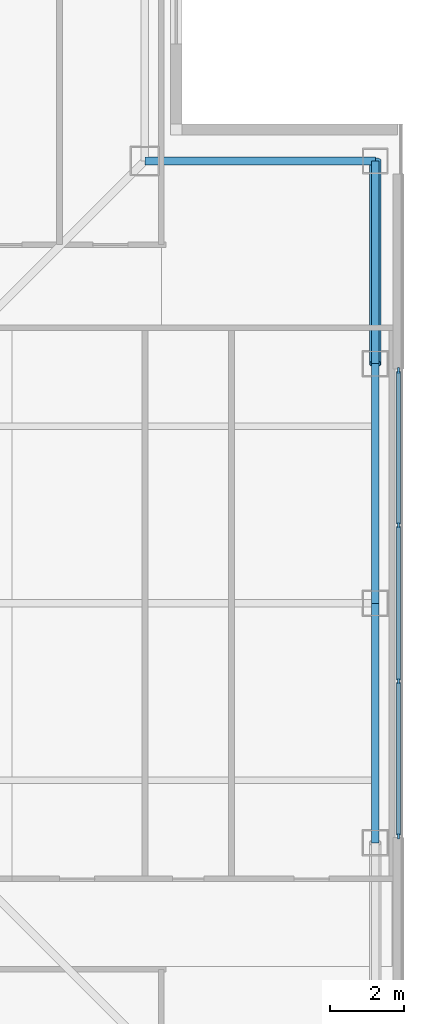
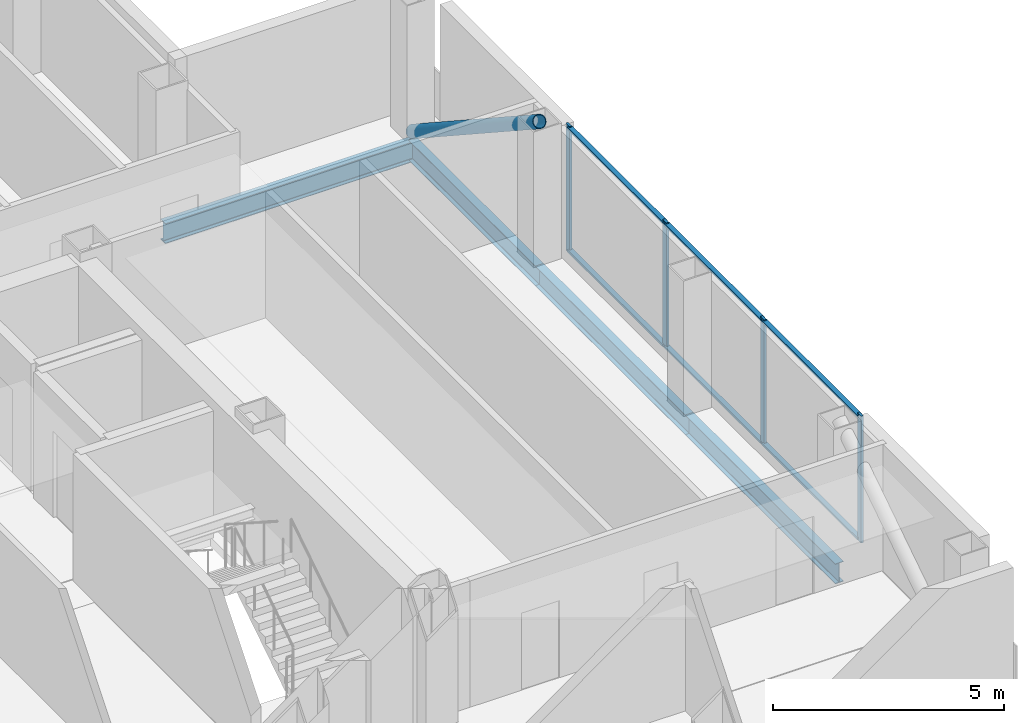
# One storey, part 6 of 16: 11 members, 4 beams, 1 element without a shape of its own.
"""IFC4 building model written with IfcOpenShell, lengths in metres."""

from ifc_helpers import new_model, si_unit, direction, frame, origin, origin_2d, place, context, subcontext, project, spatial, rectangle, hollow_circle, i_section, extrude, material, layer, layer_set, material_profile, profile_set, type_object, element, aggregate, save


model = new_model("IFC4")

# Units and contexts
model_context = context("Model", 3, precision=1e-05, world=origin(), true_north=direction((0.0, 1.0)))
body_context = subcontext(model_context, "Body", "Model", "MODEL_VIEW")
ifc_project = project(units=[si_unit("LENGTHUNIT", "METRE"), si_unit("AREAUNIT", "SQUARE_METRE"), si_unit("VOLUMEUNIT", "CUBIC_METRE"), si_unit("PLANEANGLEUNIT", "RADIAN"), si_unit("MASSUNIT", "GRAM", prefix="KILO")], contexts=[model_context])

# Site, building, storey
site_placement = place(None, origin())
site = spatial("IfcSite", under=ifc_project, at=site_placement, CompositionType="ELEMENT")
building_placement = place(site_placement, origin())
building = spatial("IfcBuilding", under=site, at=building_placement, Name="Trevonay Congress Spire", CompositionType="ELEMENT")
storey_placement = place(building_placement, frame((0.0, 0.0, 246.800048828125)))
storey = spatial("IfcBuildingStorey", under=building, at=storey_placement, Name="L64", CompositionType="ELEMENT", Elevation=246.800048828125)

# Beams
ifc_material_1 = material(Name="Steel ASTM A572 Grade 50", Category="steel")
ifc_material_profile_1 = material_profile(ifc_material_1, i_section(OverallWidth=0.208984375, OverallDepth=0.532958984375, WebThickness=0.01025390625, FlangeThickness=0.015625, FilletRadius=0.014892578125, at=origin_2d()), Name="W530x92")
ifc_profile_set_1 = profile_set([ifc_material_profile_1], Name="Steel ASTM A572 Grade 50")
beam_type = type_object("IfcBeamType", Name="BM-RING-W530X92", PredefinedType="BEAM", material=ifc_profile_set_1)
for number, where, z_axis, x_axis, name in (
    (1, (18.25, -6.5, -0.506591796875), (0.0, 1.0, 0.0), (-1.0, 0.0, 0.0), "L64 structural beam BM-L64-PE2"),
    (2, (18.25, 0.0, -0.506591796875), (0.0, 1.0, 0.0), (-1.0, 0.0, 0.0), "L64 structural beam BM-L64-PE3"),
):
    element("IfcBeam", number, at=place(storey_placement, frame(where, z_axis=z_axis, x_axis=x_axis)), inside=storey, type_object=beam_type, Name=name, PredefinedType="BEAM", context=body_context, shape_type="SweptSolid", body=[
        extrude(i_section(OverallWidth=0.208984375, OverallDepth=0.532958984375, WebThickness=0.01025390625, FlangeThickness=0.015625, FilletRadius=0.014892578125, at=origin_2d()), origin(), (0.0, 0.0, 1.0), 6.5),
    ])
beam_1_placement = place(storey_placement, frame((18.25, 6.5, -0.506591796875), z_axis=(0.0, 1.0, 0.0), x_axis=(-1.0, 0.0, 0.0)))
element("IfcBeam", 3, at=beam_1_placement, inside=storey, type_object=beam_type, Name="L64 structural beam BM-L64-PE4", PredefinedType="BEAM", context=body_context, shape_type="SweptSolid", body=[
    extrude(i_section(OverallWidth=0.208984375, OverallDepth=0.532958984375, WebThickness=0.01025390625, FlangeThickness=0.015625, FilletRadius=0.014892578125, at=origin_2d()), origin(), (0.0, 0.0, 1.0), 5.5),
])
beam_2_placement = place(storey_placement, frame((18.25, 12.0, -0.506591796875), z_axis=(-1.0, 0.0, 0.0), x_axis=(0.0, -1.0, 0.0)))
element("IfcBeam", 4, at=beam_2_placement, inside=storey, type_object=beam_type, Name="L64 structural beam BM-L64-N2NE", PredefinedType="BEAM", context=body_context, shape_type="SweptSolid", body=[
    extrude(i_section(OverallWidth=0.208984375, OverallDepth=0.532958984375, WebThickness=0.01025390625, FlangeThickness=0.015625, FilletRadius=0.014892578125, at=origin_2d()), origin(), (0.0, 0.0, 1.0), 6.25),
])

# Curtain wall, members
ifc_material_2 = material(Name="Pale Anodised Aluminium EN AW-6063-T6", Category="aluminium")
ifc_layer = layer(ifc_material_2, 0.1650390625, Name="Pale Anodised Aluminium EN AW-6063-T6")
ifc_layer_set = layer_set([ifc_layer], Name="Pale Anodised Aluminium EN AW-6063-T6")
curtain_wall_type = type_object("IfcCurtainWallType", Name="CW-SYS05-DIPLOM-PALE-METAL", PredefinedType="NOTDEFINED", material=ifc_layer_set)
curtain_wall_placement = place(storey_placement, origin())
curtain_wall = element("IfcCurtainWall", 5, at=curtain_wall_placement, inside=storey, type_object=curtain_wall_type, Name="L64 E unitised curtain wall", PredefinedType="NOTDEFINED")
ifc_material_profile_2 = material_profile(ifc_material_2, rectangle(XDim=0.06005859375, YDim=0.159912109375, at=origin_2d()), Name="CW-MULLION-160-ALUMINIUM")
ifc_profile_set_2 = profile_set([ifc_material_profile_2], Name="Pale Anodised Aluminium EN AW-6063-T6")
member_type_1 = type_object("IfcMemberType", Name="CW-MULLION-160-ALUMINIUM", PredefinedType="MULLION", material=ifc_profile_set_2)
member_1_placement = place(storey_placement, frame((18.8798828125, -6.320068359375, 0.0), z_axis=(0.0, 0.0, 1.0), x_axis=(-1.0, 0.0, 0.0)))
member_1 = element("IfcMember", 6, at=member_1_placement, type_object=member_type_1, Name="CW05 mullion 1", PredefinedType="MULLION", context=body_context, shape_type="SweptSolid", body=[
    extrude(rectangle(XDim=0.06005859375, YDim=0.159912109375, at=origin_2d()), origin(), (0.0, 0.0, 1.0), 3.35986328125),
])
member_2_placement = place(storey_placement, frame((18.8798828125, -2.11669921875, 0.0), z_axis=(0.0, 0.0, 1.0), x_axis=(-1.0, 0.0, 0.0)))
member_2 = element("IfcMember", 7, at=member_2_placement, type_object=member_type_1, Name="CW05 mullion 2", PredefinedType="MULLION", context=body_context, shape_type="SweptSolid", body=[
    extrude(rectangle(XDim=0.06005859375, YDim=0.159912109375, at=origin_2d()), origin(), (0.0, 0.0, 1.0), 3.35986328125),
])
member_3_placement = place(storey_placement, frame((18.8798828125, 2.11669921875, 0.0), z_axis=(0.0, 0.0, 1.0), x_axis=(-1.0, 0.0, 0.0)))
member_3 = element("IfcMember", 8, at=member_3_placement, type_object=member_type_1, Name="CW05 mullion 3", PredefinedType="MULLION", context=body_context, shape_type="SweptSolid", body=[
    extrude(rectangle(XDim=0.06005859375, YDim=0.159912109375, at=origin_2d()), origin(), (0.0, 0.0, 1.0), 3.35986328125),
])
member_4_placement = place(storey_placement, frame((18.8798828125, 6.320068359375, 0.0), z_axis=(0.0, 0.0, 1.0), x_axis=(-1.0, 0.0, 0.0)))
member_4 = element("IfcMember", 9, at=member_4_placement, type_object=member_type_1, Name="CW05 mullion 4", PredefinedType="MULLION", context=body_context, shape_type="SweptSolid", body=[
    extrude(rectangle(XDim=0.06005859375, YDim=0.159912109375, at=origin_2d()), origin(), (0.0, 0.0, 1.0), 3.35986328125),
])
ifc_material_profile_3 = material_profile(ifc_material_2, rectangle(XDim=0.1201171875, YDim=0.06005859375, at=origin_2d()), Name="CW-TRANSOM-120-ALUMINIUM")
ifc_profile_set_3 = profile_set([ifc_material_profile_3], Name="Pale Anodised Aluminium EN AW-6063-T6")
member_type_2 = type_object("IfcMemberType", Name="CW-TRANSOM-120-ALUMINIUM", PredefinedType="USERDEFINED", material=ifc_profile_set_3)
member_5_placement = place(storey_placement, frame((18.8798828125, -6.2900390625, 0.06005859375), z_axis=(0.0, 1.0, 0.0), x_axis=(-1.0, 0.0, 0.0)))
member_5 = element("IfcMember", 10, at=member_5_placement, type_object=member_type_2, Name="CW05 transom 1.1", ObjectType="TRANSOM", PredefinedType="USERDEFINED", context=body_context, shape_type="SweptSolid", body=[
    extrude(rectangle(XDim=0.1201171875, YDim=0.06005859375, at=origin_2d()), origin(), (0.0, 0.0, 1.0), 4.143310546875),
])
member_6_placement = place(storey_placement, frame((18.8798828125, -6.2900390625, 3.300048828125), z_axis=(0.0, 1.0, 0.0), x_axis=(-1.0, 0.0, 0.0)))
member_6 = element("IfcMember", 11, at=member_6_placement, type_object=member_type_2, Name="CW05 transom 1.2", ObjectType="TRANSOM", PredefinedType="USERDEFINED", context=body_context, shape_type="SweptSolid", body=[
    extrude(rectangle(XDim=0.1201171875, YDim=0.06005859375, at=origin_2d()), origin(), (0.0, 0.0, 1.0), 4.143310546875),
])
member_7_placement = place(storey_placement, frame((18.8798828125, -2.086669921875, 0.06005859375), z_axis=(0.0, 1.0, 0.0), x_axis=(-1.0, 0.0, 0.0)))
member_7 = element("IfcMember", 12, at=member_7_placement, type_object=member_type_2, Name="CW05 transom 2.1", ObjectType="TRANSOM", PredefinedType="USERDEFINED", context=body_context, shape_type="SweptSolid", body=[
    extrude(rectangle(XDim=0.1201171875, YDim=0.06005859375, at=origin_2d()), origin(), (0.0, 0.0, 1.0), 4.17333984375),
])
member_8_placement = place(storey_placement, frame((18.8798828125, -2.086669921875, 3.300048828125), z_axis=(0.0, 1.0, 0.0), x_axis=(-1.0, 0.0, 0.0)))
member_8 = element("IfcMember", 13, at=member_8_placement, type_object=member_type_2, Name="CW05 transom 2.2", ObjectType="TRANSOM", PredefinedType="USERDEFINED", context=body_context, shape_type="SweptSolid", body=[
    extrude(rectangle(XDim=0.1201171875, YDim=0.06005859375, at=origin_2d()), origin(), (0.0, 0.0, 1.0), 4.17333984375),
])
member_9_placement = place(storey_placement, frame((18.8798828125, 2.146728515625, 0.06005859375), z_axis=(0.0, 1.0, 0.0), x_axis=(-1.0, 0.0, 0.0)))
member_9 = element("IfcMember", 14, at=member_9_placement, type_object=member_type_2, Name="CW05 transom 3.1", ObjectType="TRANSOM", PredefinedType="USERDEFINED", context=body_context, shape_type="SweptSolid", body=[
    extrude(rectangle(XDim=0.1201171875, YDim=0.06005859375, at=origin_2d()), origin(), (0.0, 0.0, 1.0), 4.143310546875),
])
member_10_placement = place(storey_placement, frame((18.8798828125, 2.146728515625, 3.300048828125), z_axis=(0.0, 1.0, 0.0), x_axis=(-1.0, 0.0, 0.0)))
member_10 = element("IfcMember", 15, at=member_10_placement, type_object=member_type_2, Name="CW05 transom 3.2", ObjectType="TRANSOM", PredefinedType="USERDEFINED", context=body_context, shape_type="SweptSolid", body=[
    extrude(rectangle(XDim=0.1201171875, YDim=0.06005859375, at=origin_2d()), origin(), (0.0, 0.0, 1.0), 4.143310546875),
])
aggregate(curtain_wall, [member_1, member_2, member_3, member_4, member_5, member_6, member_7, member_8, member_9, member_10])

# Member
ifc_material_3 = material(Name="Steel ASTM A500 Grade C", Category="steel")
ifc_material_profile_4 = material_profile(ifc_material_3, hollow_circle(Radius=0.161865234375, WallThickness=0.01611328125, at=origin_2d()), Name="CHS 323.9x16")
ifc_profile_set_4 = profile_set([ifc_material_profile_4], Name="Steel ASTM A500 Grade C")
member_type_3 = type_object("IfcMemberType", Name="MBR-TUBE-CHS324", PredefinedType="BRACE", material=ifc_profile_set_4)
member_11_placement = place(storey_placement, frame((18.25, 12.0, -0.050048828125), z_axis=(0.0, -0.836694709366, 0.547669574943), x_axis=(1.0, 0.0, 0.0)))
element("IfcMember", 16, at=member_11_placement, inside=storey, type_object=member_type_3, Name="L64 perimeter braced-tube diagonal E3", PredefinedType="BRACE", context=body_context, shape_type="SweptSolid", body=[
    extrude(hollow_circle(Radius=0.161865234375, WallThickness=0.01611328125, at=origin_2d()), origin(), (0.0, 0.0, 1.0), 6.573486328125),
])

save(model, "model.ifc")
